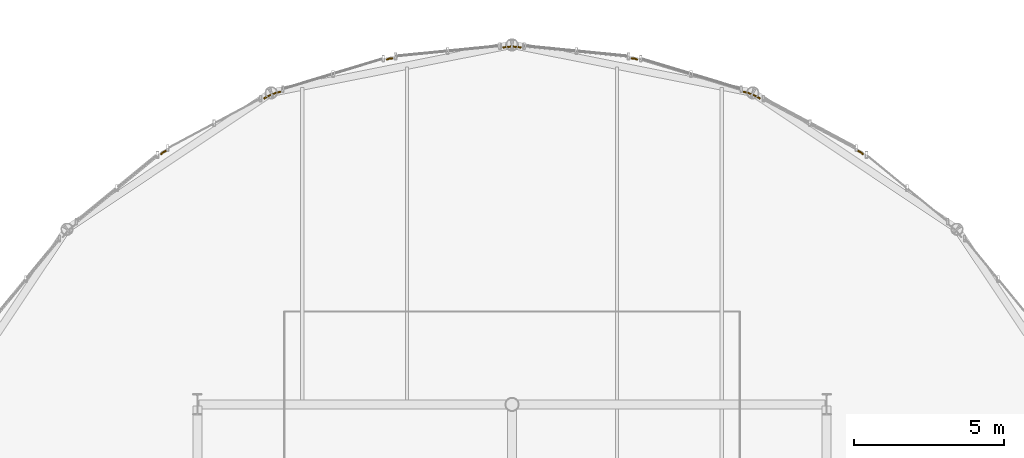
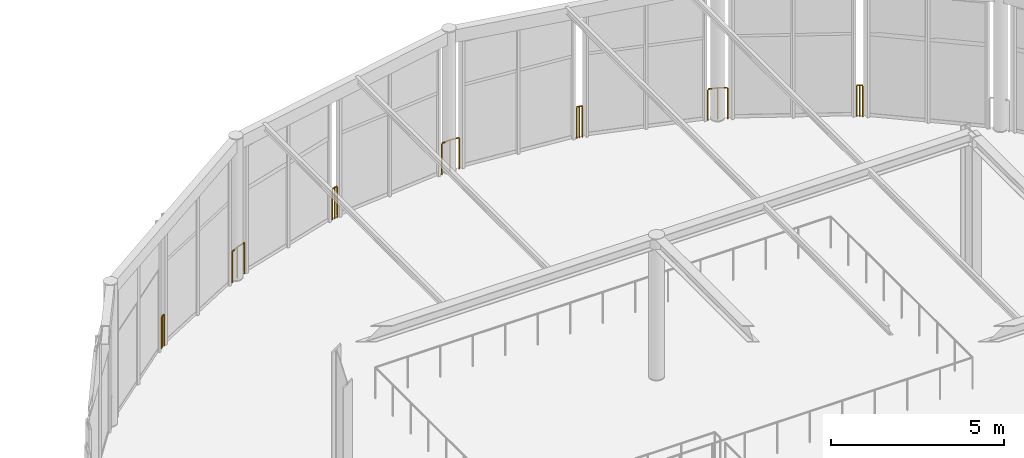
# One storey, part 195 of 195: 7 railings.
"""IFC4 building model written with IfcOpenShell, lengths in metres."""

from ifc_helpers import new_model, si_unit, direction, frame, origin, origin_2d, place, context, subcontext, project, spatial, circle, extrude, material, type_object, element, save


model = new_model("IFC4")

# Units and contexts
model_context = context("Model", 3, precision=1e-05, world=origin(), true_north=direction((0.0, 1.0)))
body_context = subcontext(model_context, "Body", "Model", "MODEL_VIEW")
ifc_project = project(units=[si_unit("LENGTHUNIT", "METRE"), si_unit("AREAUNIT", "SQUARE_METRE"), si_unit("VOLUMEUNIT", "CUBIC_METRE"), si_unit("PLANEANGLEUNIT", "RADIAN"), si_unit("MASSUNIT", "GRAM", prefix="KILO")], contexts=[model_context])

# Site, building, storey
site_placement = place(None, origin())
site = spatial("IfcSite", under=ifc_project, at=site_placement, CompositionType="ELEMENT")
building_placement = place(site_placement, origin())
building = spatial("IfcBuilding", under=site, at=building_placement, Name="Marlcrest Central Station", CompositionType="ELEMENT")
storey_placement = place(building_placement, frame((0.0, 0.0, 9.800048828125)))
storey = spatial("IfcBuildingStorey", under=building, at=storey_placement, Name="L02", CompositionType="ELEMENT", Elevation=9.800048828125)

# Railings
ifc_material = material(Name="Stainless steel and laminated glass concourse balustrade", Category="steel")
railing_type = type_object("IfcRailingType", Name="GR-02", PredefinedType="BALUSTRADE", material=ifc_material)
railing_1_placement = place(storey_placement, frame((96.297119140625, 127.85400390625, 0.0)))
element("IfcRailing", 1, at=railing_1_placement, inside=storey, type_object=railing_type, Name="hr-L02-00489", PredefinedType="BALUSTRADE", context=body_context, shape_type="SweptSolid", body=[
    extrude(circle(Radius=0.02392578125, at=origin_2d()), frame((0.0, 0.0, 1.09619140625), z_axis=(0.770903388504, 0.636952090501, 0.0), x_axis=(-0.636952090501, 0.770903388504, 0.0)), (0.0, 0.0, 1.0), 0.08935546875),
    extrude(circle(Radius=0.02392578125, at=origin_2d()), frame((0.06884765625, 0.056884765625, 1.09619140625), z_axis=(0.885620050665, 0.464410514373, 0.0), x_axis=(-0.464410514373, 0.885620050665, 0.0)), (0.0, 0.0, 1.0), 0.09033203125),
    extrude(circle(Radius=0.02099609375, at=origin_2d()), origin(), (0.0, 0.0, 1.0), 1.072021484375),
    extrude(circle(Radius=0.02099609375, at=origin_2d()), frame((0.06884765625, 0.056884765625, 0.0)), (0.0, 0.0, 1.0), 1.072021484375),
    extrude(circle(Radius=0.02099609375, at=origin_2d()), frame((0.14892578125, 0.098876953125, 0.0)), (0.0, 0.0, 1.0), 1.072021484375),
])
railing_2_placement = place(storey_placement, frame((99.73291015625, 129.7099609375, 0.0)))
element("IfcRailing", 2, at=railing_2_placement, inside=storey, type_object=railing_type, Name="hr-L02-00490", PredefinedType="BALUSTRADE", context=body_context, shape_type="SweptSolid", body=[
    extrude(circle(Radius=0.02392578125, at=origin_2d()), frame((0.0, 0.0, 1.09619140625), z_axis=(0.883126703113, 0.469134550261, 0.0), x_axis=(-0.469134550261, 0.883126703113, 0.0)), (0.0, 0.0, 1.0), 0.287841796875),
    extrude(circle(Radius=0.02392578125, at=origin_2d()), frame((0.254150390625, 0.135009765625, 1.09619140625), z_axis=(0.956653372273, 0.291228991205, 0.0), x_axis=(-0.291228991205, 0.956653372273, 0.0)), (0.0, 0.0, 1.0), 0.288330078125),
    extrude(circle(Radius=0.02099609375, at=origin_2d()), origin(), (0.0, 0.0, 1.0), 1.072021484375),
    extrude(circle(Radius=0.02099609375, at=origin_2d()), frame((0.254150390625, 0.135009765625, 0.0)), (0.0, 0.0, 1.0), 1.072021484375),
    extrude(circle(Radius=0.02099609375, at=origin_2d()), frame((0.530029296875, 0.218994140625, 0.0)), (0.0, 0.0, 1.0), 1.072021484375),
])
railing_3_placement = place(storey_placement, frame((103.8291015625, 131.010986328125, 0.0)))
element("IfcRailing", 3, at=railing_3_placement, inside=storey, type_object=railing_type, Name="hr-L02-00491", PredefinedType="BALUSTRADE", context=body_context, shape_type="SweptSolid", body=[
    extrude(circle(Radius=0.02392578125, at=origin_2d()), frame((0.0, 0.0, 1.09619140625), z_axis=(0.956772580042, 0.290837119501, 0.0), x_axis=(-0.290837119501, 0.956772580042, 0.0)), (0.0, 0.0, 1.0), 0.08984375),
    extrude(circle(Radius=0.02392578125, at=origin_2d()), frame((0.0859375, 0.026123046875, 1.09619140625), z_axis=(0.995144874966, 0.0984209217, 0.0), x_axis=(-0.0984209217, 0.995144874966, 0.0)), (0.0, 0.0, 1.0), 0.08935546875),
    extrude(circle(Radius=0.02099609375, at=origin_2d()), origin(), (0.0, 0.0, 1.0), 1.072021484375),
    extrude(circle(Radius=0.02099609375, at=origin_2d()), frame((0.0859375, 0.026123046875, 0.0)), (0.0, 0.0, 1.0), 1.072021484375),
    extrude(circle(Radius=0.02099609375, at=origin_2d()), frame((0.1748046875, 0.034912109375, 0.0)), (0.0, 0.0, 1.0), 1.072021484375),
])
railing_4_placement = place(storey_placement, frame((107.714111328125, 131.410888671875, 0.0)))
element("IfcRailing", 4, at=railing_4_placement, inside=storey, type_object=railing_type, Name="hr-L02-00492", PredefinedType="BALUSTRADE", context=body_context, shape_type="SweptSolid", body=[
    extrude(circle(Radius=0.02392578125, at=origin_2d()), frame((0.0, 0.0, 1.09619140625), z_axis=(0.994876081784, 0.101101839225, 0.0), x_axis=(-0.101101839225, 0.994876081784, 0.0)), (0.0, 0.0, 1.0), 0.287353515625),
    extrude(circle(Radius=0.02392578125, at=origin_2d()), frame((0.285888671875, 0.029052734375, 1.09619140625), z_axis=(0.994876081784, -0.101101839225, 0.0), x_axis=(0.101101839225, 0.994876081784, 0.0)), (0.0, 0.0, 1.0), 0.287353515625),
    extrude(circle(Radius=0.02099609375, at=origin_2d()), origin(), (0.0, 0.0, 1.0), 1.072021484375),
    extrude(circle(Radius=0.02099609375, at=origin_2d()), frame((0.285888671875, 0.029052734375, 0.0)), (0.0, 0.0, 1.0), 1.072021484375),
    extrude(circle(Radius=0.02099609375, at=origin_2d()), frame((0.57177734375, 0.0, 0.0)), (0.0, 0.0, 1.0), 1.072021484375),
])
railing_5_placement = place(storey_placement, frame((111.99609375, 131.0458984375, 0.0)))
element("IfcRailing", 5, at=railing_5_placement, inside=storey, type_object=railing_type, Name="hr-L02-00493", PredefinedType="BALUSTRADE", context=body_context, shape_type="SweptSolid", body=[
    extrude(circle(Radius=0.02392578125, at=origin_2d()), frame((0.0, 0.0, 1.09619140625), z_axis=(0.995144874966, -0.0984209217, 0.0), x_axis=(0.0984209217, 0.995144874966, 0.0)), (0.0, 0.0, 1.0), 0.08935546875),
    extrude(circle(Radius=0.02392578125, at=origin_2d()), frame((0.0888671875, -0.0087890625, 1.09619140625), z_axis=(0.956772580042, -0.290837119501, 0.0), x_axis=(0.290837119501, 0.956772580042, 0.0)), (0.0, 0.0, 1.0), 0.08984375),
    extrude(circle(Radius=0.02099609375, at=origin_2d()), origin(), (0.0, 0.0, 1.0), 1.072021484375),
    extrude(circle(Radius=0.02099609375, at=origin_2d()), frame((0.0888671875, -0.0087890625, 0.0)), (0.0, 0.0, 1.0), 1.072021484375),
    extrude(circle(Radius=0.02099609375, at=origin_2d()), frame((0.1748046875, -0.034912109375, 0.0)), (0.0, 0.0, 1.0), 1.072021484375),
])
railing_6_placement = place(storey_placement, frame((115.737060546875, 129.928955078125, 0.0)))
element("IfcRailing", 6, at=railing_6_placement, inside=storey, type_object=railing_type, Name="hr-L02-00494", PredefinedType="BALUSTRADE", context=body_context, shape_type="SweptSolid", body=[
    extrude(circle(Radius=0.02392578125, at=origin_2d()), frame((0.0, 0.0, 1.09619140625), z_axis=(0.956653372273, -0.291228991205, 0.0), x_axis=(0.291228991205, 0.956653372273, 0.0)), (0.0, 0.0, 1.0), 0.288330078125),
    extrude(circle(Radius=0.02392578125, at=origin_2d()), frame((0.27587890625, -0.083984375, 1.09619140625), z_axis=(0.883126703113, -0.469134550261, 0.0), x_axis=(0.469134550261, 0.883126703113, 0.0)), (0.0, 0.0, 1.0), 0.287841796875),
    extrude(circle(Radius=0.02099609375, at=origin_2d()), origin(), (0.0, 0.0, 1.0), 1.072021484375),
    extrude(circle(Radius=0.02099609375, at=origin_2d()), frame((0.27587890625, -0.083984375, 0.0)), (0.0, 0.0, 1.0), 1.072021484375),
    extrude(circle(Radius=0.02099609375, at=origin_2d()), frame((0.530029296875, -0.218994140625, 0.0)), (0.0, 0.0, 1.0), 1.072021484375),
])
railing_7_placement = place(storey_placement, frame((119.553955078125, 127.952880859375, 0.0)))
element("IfcRailing", 7, at=railing_7_placement, inside=storey, type_object=railing_type, Name="hr-L02-00495", PredefinedType="BALUSTRADE", context=body_context, shape_type="SweptSolid", body=[
    extrude(circle(Radius=0.02392578125, at=origin_2d()), frame((0.0, 0.0, 1.09619140625), z_axis=(0.885620050665, -0.464410514373, 0.0), x_axis=(0.464410514373, 0.885620050665, 0.0)), (0.0, 0.0, 1.0), 0.09033203125),
    extrude(circle(Radius=0.02392578125, at=origin_2d()), frame((0.080078125, -0.0419921875, 1.09619140625), z_axis=(0.770903388504, -0.636952090501, 0.0), x_axis=(0.636952090501, 0.770903388504, 0.0)), (0.0, 0.0, 1.0), 0.08935546875),
    extrude(circle(Radius=0.02099609375, at=origin_2d()), origin(), (0.0, 0.0, 1.0), 1.072021484375),
    extrude(circle(Radius=0.02099609375, at=origin_2d()), frame((0.080078125, -0.0419921875, 0.0)), (0.0, 0.0, 1.0), 1.072021484375),
    extrude(circle(Radius=0.02099609375, at=origin_2d()), frame((0.14892578125, -0.098876953125, 0.0)), (0.0, 0.0, 1.0), 1.072021484375),
])

save(model, "model.ifc")
